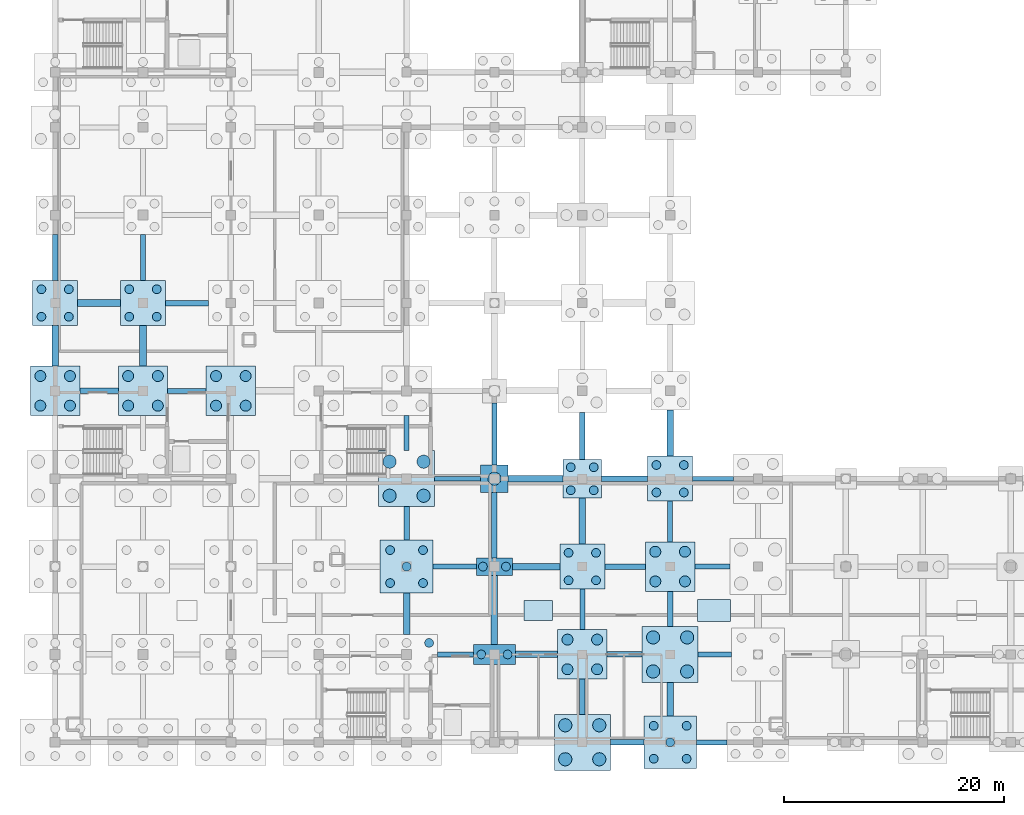
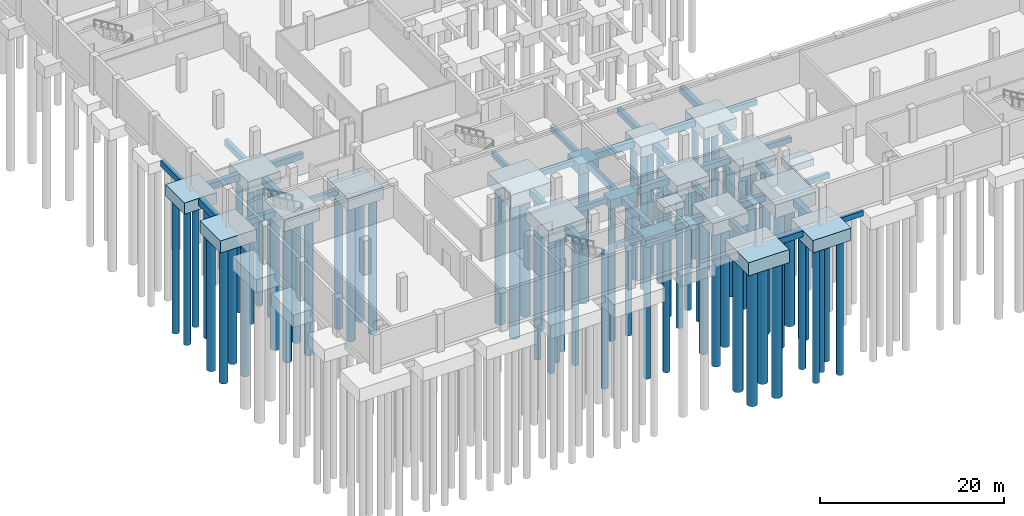
# One storey, part 2 of 26: 68 piles, 56 footings.
"""IFC4 building model written with IfcOpenShell, lengths in metres."""

from ifc_helpers import new_model, si_unit, direction, frame, origin, origin_2d, place, context, subcontext, project, spatial, rectangle, circle, extrude, material, layer, layer_set, material_profile, profile_set, type_object, element, save


model = new_model("IFC4")

# Units and contexts
model_context = context("Model", 3, precision=1e-05, world=origin(), true_north=direction((0.0, 1.0)))
body_context = subcontext(model_context, "Body", "Model", "MODEL_VIEW")
ifc_project = project(units=[si_unit("LENGTHUNIT", "METRE"), si_unit("AREAUNIT", "SQUARE_METRE"), si_unit("VOLUMEUNIT", "CUBIC_METRE"), si_unit("PLANEANGLEUNIT", "RADIAN"), si_unit("MASSUNIT", "GRAM", prefix="KILO")], contexts=[model_context])

# Site, building, storey
site_placement = place(None, origin())
site = spatial("IfcSite", under=ifc_project, at=site_placement, CompositionType="ELEMENT")
building_placement = place(site_placement, origin())
building = spatial("IfcBuilding", under=site, at=building_placement, Name="Qorikala Patio Media Centre", CompositionType="ELEMENT")
storey_placement = place(building_placement, frame((0.0, 0.0, -4.5)))
storey = spatial("IfcBuildingStorey", under=building, at=storey_placement, Name="B1", CompositionType="ELEMENT", Elevation=-4.5)

# Footings
ifc_material = material(Name="Concrete C30/37", Category="concrete")
ifc_material_profile_1 = material_profile(ifc_material, rectangle(XDim=0.449951171875, YDim=0.699951171875, at=origin_2d()), Name="RC 450x700")
ifc_profile_set_1 = profile_set([ifc_material_profile_1], Name="Concrete C30/37")
footing_type_1 = type_object("IfcFootingType", Name="GB-450X700", PredefinedType="FOOTING_BEAM", material=ifc_profile_set_1)
footing_1_placement = place(storey_placement, frame((61.39990234375, 3.0, -0.949951171875), z_axis=(1.0, 0.0, 0.0), x_axis=(0.0, 1.0, 0.0)))
element("IfcFooting", 1, at=footing_1_placement, inside=storey, type_object=footing_type_1, Name="Ground Tie Beam X-008", PredefinedType="FOOTING_BEAM", context=body_context, shape_type="SweptSolid", body=[
    extrude(rectangle(XDim=0.449951171875, YDim=0.699951171875, at=origin_2d()), origin(), (0.0, 0.0, 1.0), 2.800048828125),
])
footing_2_placement = place(storey_placement, frame((37.800048828125, 11.0, -0.949951171875), z_axis=(1.0, 0.0, 0.0), x_axis=(0.0, 1.0, 0.0)))
element("IfcFooting", 2, at=footing_2_placement, inside=storey, type_object=footing_type_1, Name="Ground Tie Beam X-026", PredefinedType="FOOTING_BEAM", context=body_context, shape_type="SweptSolid", body=[
    extrude(rectangle(XDim=0.449951171875, YDim=0.699951171875, at=origin_2d()), origin(), (0.0, 0.0, 1.0), 3.300048828125),
])
footing_3_placement = place(storey_placement, frame((61.550048828125, 11.0, -0.949951171875), z_axis=(1.0, 0.0, 0.0), x_axis=(0.0, 1.0, 0.0)))
element("IfcFooting", 3, at=footing_3_placement, inside=storey, type_object=footing_type_1, Name="Ground Tie Beam X-029", PredefinedType="FOOTING_BEAM", context=body_context, shape_type="SweptSolid", body=[
    extrude(rectangle(XDim=0.449951171875, YDim=0.699951171875, at=origin_2d()), origin(), (0.0, 0.0, 1.0), 3.050048828125),
])
footing_4_placement = place(storey_placement, frame((37.39990234375, 19.0, -0.949951171875), z_axis=(1.0, 0.0, 0.0), x_axis=(0.0, 1.0, 0.0)))
element("IfcFooting", 4, at=footing_4_placement, inside=storey, type_object=footing_type_1, Name="Ground Tie Beam X-047", PredefinedType="FOOTING_BEAM", context=body_context, shape_type="SweptSolid", body=[
    extrude(rectangle(XDim=0.449951171875, YDim=0.699951171875, at=origin_2d()), origin(), (0.0, 0.0, 1.0), 3.9501953125),
])
footing_5_placement = place(storey_placement, frame((61.25, 19.0, -0.949951171875), z_axis=(1.0, 0.0, 0.0), x_axis=(0.0, 1.0, 0.0)))
element("IfcFooting", 5, at=footing_5_placement, inside=storey, type_object=footing_type_1, Name="Ground Tie Beam X-050", PredefinedType="FOOTING_BEAM", context=body_context, shape_type="SweptSolid", body=[
    extrude(rectangle(XDim=0.449951171875, YDim=0.699951171875, at=origin_2d()), origin(), (0.0, 0.0, 1.0), 3.199951171875),
])
footing_6_placement = place(storey_placement, frame((37.550048828125, 27.0, -0.949951171875), z_axis=(1.0, 0.0, 0.0), x_axis=(0.0, 1.0, 0.0)))
element("IfcFooting", 6, at=footing_6_placement, inside=storey, type_object=footing_type_1, Name="Ground Tie Beam X-068", PredefinedType="FOOTING_BEAM", context=body_context, shape_type="SweptSolid", body=[
    extrude(rectangle(XDim=0.449951171875, YDim=0.699951171875, at=origin_2d()), origin(), (0.0, 0.0, 1.0), 4.199951171875),
])
footing_7_placement = place(storey_placement, frame((61.050048828125, 27.0, -0.949951171875), z_axis=(1.0, 0.0, 0.0), x_axis=(0.0, 1.0, 0.0)))
element("IfcFooting", 7, at=footing_7_placement, inside=storey, type_object=footing_type_1, Name="Ground Tie Beam X-071", PredefinedType="FOOTING_BEAM", context=body_context, shape_type="SweptSolid", body=[
    extrude(rectangle(XDim=0.449951171875, YDim=0.699951171875, at=origin_2d()), origin(), (0.0, 0.0, 1.0), 3.699951171875),
])
footing_8_placement = place(storey_placement, frame((13.25, 35.0, -0.949951171875), z_axis=(1.0, 0.0, 0.0), x_axis=(0.0, 1.0, 0.0)))
element("IfcFooting", 8, at=footing_8_placement, inside=storey, type_object=footing_type_1, Name="Ground Tie Beam X-086", PredefinedType="FOOTING_BEAM", context=body_context, shape_type="SweptSolid", body=[
    extrude(rectangle(XDim=0.449951171875, YDim=0.699951171875, at=origin_2d()), origin(), (0.0, 0.0, 1.0), 3.5),
])
footing_9_placement = place(storey_placement, frame((35.0, 29.550048828125, -0.949951171875), z_axis=(0.0, 1.0, 0.0), x_axis=(-1.0, 0.0, 0.0)))
element("IfcFooting", 9, at=footing_9_placement, inside=storey, type_object=footing_type_1, Name="Ground Tie Beam Y-230", PredefinedType="FOOTING_BEAM", context=body_context, shape_type="SweptSolid", body=[
    extrude(rectangle(XDim=0.449951171875, YDim=0.699951171875, at=origin_2d()), origin(), (0.0, 0.0, 1.0), 3.199951171875),
])
footing_10_placement = place(storey_placement, frame((43.0, 28.25, -0.949951171875), z_axis=(0.0, 1.0, 0.0), x_axis=(-1.0, 0.0, 0.0)))
element("IfcFooting", 10, at=footing_10_placement, inside=storey, type_object=footing_type_1, Name="Ground Tie Beam Y-239", PredefinedType="FOOTING_BEAM", context=body_context, shape_type="SweptSolid", body=[
    extrude(rectangle(XDim=0.449951171875, YDim=0.699951171875, at=origin_2d()), origin(), (0.0, 0.0, 1.0), 5.64990234375),
])
for number, where, z_axis, x_axis, name in (
    (11, (51.0, 13.25, -0.949951171875), (0.0, 1.0, 0.0), (-1.0, 0.0, 0.0), "Ground Tie Beam Y-245"),
    (12, (59.0, 21.25, -0.949951171875), (0.0, 1.0, 0.0), (-1.0, 0.0, 0.0), "Ground Tie Beam Y-260"),
):
    element("IfcFooting", number, at=place(storey_placement, frame(where, z_axis=z_axis, x_axis=x_axis)), inside=storey, type_object=footing_type_1, Name=name, PredefinedType="FOOTING_BEAM", context=body_context, shape_type="SweptSolid", body=[
        extrude(rectangle(XDim=0.449951171875, YDim=0.699951171875, at=origin_2d()), origin(), (0.0, 0.0, 1.0), 3.699951171875),
    ])
ifc_material_profile_2 = material_profile(ifc_material, rectangle(XDim=0.5, YDim=0.800048828125, at=origin_2d()), Name="RC 500x800")
ifc_profile_set_2 = profile_set([ifc_material_profile_2], Name="Concrete C30/37")
footing_type_2 = type_object("IfcFootingType", Name="GB-500X800", PredefinedType="FOOTING_BEAM", material=ifc_profile_set_2)
footing_11_placement = place(storey_placement, frame((53.550048828125, 3.0, -1.0), z_axis=(1.0, 0.0, 0.0), x_axis=(0.0, 1.0, 0.0)))
element("IfcFooting", 13, at=footing_11_placement, inside=storey, type_object=footing_type_2, Name="Ground Tie Beam X-007", PredefinedType="FOOTING_BEAM", context=body_context, shape_type="SweptSolid", body=[
    extrude(rectangle(XDim=0.5, YDim=0.800048828125, at=origin_2d()), origin(), (0.0, 0.0, 1.0), 3.050048828125),
])
footing_12_placement = place(storey_placement, frame((53.25, 11.0, -1.0), z_axis=(1.0, 0.0, 0.0), x_axis=(0.0, 1.0, 0.0)))
element("IfcFooting", 14, at=footing_12_placement, inside=storey, type_object=footing_type_2, Name="Ground Tie Beam X-028", PredefinedType="FOOTING_BEAM", context=body_context, shape_type="SweptSolid", body=[
    extrude(rectangle(XDim=0.5, YDim=0.800048828125, at=origin_2d()), origin(), (0.0, 0.0, 1.0), 3.199951171875),
])
footing_13_placement = place(storey_placement, frame((53.050048828125, 19.0, -1.0), z_axis=(1.0, 0.0, 0.0), x_axis=(0.0, 1.0, 0.0)))
element("IfcFooting", 15, at=footing_13_placement, inside=storey, type_object=footing_type_2, Name="Ground Tie Beam X-049", PredefinedType="FOOTING_BEAM", context=body_context, shape_type="SweptSolid", body=[
    extrude(rectangle(XDim=0.5, YDim=0.800048828125, at=origin_2d()), origin(), (0.0, 0.0, 1.0), 3.699951171875),
])
footing_14_placement = place(storey_placement, frame((52.75, 27.0, -1.0), z_axis=(1.0, 0.0, 0.0), x_axis=(0.0, 1.0, 0.0)))
element("IfcFooting", 16, at=footing_14_placement, inside=storey, type_object=footing_type_2, Name="Ground Tie Beam X-070", PredefinedType="FOOTING_BEAM", context=body_context, shape_type="SweptSolid", body=[
    extrude(rectangle(XDim=0.5, YDim=0.800048828125, at=origin_2d()), origin(), (0.0, 0.0, 1.0), 4.199951171875),
])
footing_15_placement = place(storey_placement, frame((5.25, 35.0, -1.0), z_axis=(1.0, 0.0, 0.0), x_axis=(0.0, 1.0, 0.0)))
element("IfcFooting", 17, at=footing_15_placement, inside=storey, type_object=footing_type_2, Name="Ground Tie Beam X-085", PredefinedType="FOOTING_BEAM", context=body_context, shape_type="SweptSolid", body=[
    extrude(rectangle(XDim=0.5, YDim=0.800048828125, at=origin_2d()), origin(), (0.0, 0.0, 1.0), 3.5),
])
footing_16_placement = place(storey_placement, frame((13.050048828125, 43.0, -1.0), z_axis=(1.0, 0.0, 0.0), x_axis=(0.0, 1.0, 0.0)))
element("IfcFooting", 18, at=footing_16_placement, inside=storey, type_object=footing_type_2, Name="Ground Tie Beam X-097", PredefinedType="FOOTING_BEAM", context=body_context, shape_type="SweptSolid", body=[
    extrude(rectangle(XDim=0.5, YDim=0.800048828125, at=origin_2d()), origin(), (0.0, 0.0, 1.0), 3.89990234375),
])
for number, where, z_axis, x_axis, name in (
    (19, (3.0, 45.050048828125, -1.0), (0.0, 1.0, 0.0), (-1.0, 0.0, 0.0), "Ground Tie Beam Y-172"),
    (20, (11.0, 45.050048828125, -1.0), (0.0, 1.0, 0.0), (-1.0, 0.0, 0.0), "Ground Tie Beam Y-187"),
):
    element("IfcFooting", number, at=place(storey_placement, frame(where, z_axis=z_axis, x_axis=x_axis)), inside=storey, type_object=footing_type_2, Name=name, PredefinedType="FOOTING_BEAM", context=body_context, shape_type="SweptSolid", body=[
        extrude(rectangle(XDim=0.5, YDim=0.800048828125, at=origin_2d()), origin(), (0.0, 0.0, 1.0), 4.199951171875),
    ])
footing_17_placement = place(storey_placement, frame((35.0, 21.39990234375, -1.0), z_axis=(0.0, 1.0, 0.0), x_axis=(-1.0, 0.0, 0.0)))
element("IfcFooting", 21, at=footing_17_placement, inside=storey, type_object=footing_type_2, Name="Ground Tie Beam Y-229", PredefinedType="FOOTING_BEAM", context=body_context, shape_type="SweptSolid", body=[
    extrude(rectangle(XDim=0.5, YDim=0.800048828125, at=origin_2d()), origin(), (0.0, 0.0, 1.0), 3.050048828125),
])
footing_18_placement = place(storey_placement, frame((43.0, 19.800048828125, -1.0), z_axis=(0.0, 1.0, 0.0), x_axis=(-1.0, 0.0, 0.0)))
element("IfcFooting", 22, at=footing_18_placement, inside=storey, type_object=footing_type_2, Name="Ground Tie Beam Y-238", PredefinedType="FOOTING_BEAM", context=body_context, shape_type="SweptSolid", body=[
    extrude(rectangle(XDim=0.5, YDim=0.800048828125, at=origin_2d()), origin(), (0.0, 0.0, 1.0), 5.949951171875),
])
footing_19_placement = place(storey_placement, frame((51.0, 5.550048828125, -1.0), z_axis=(0.0, 1.0, 0.0), x_axis=(-1.0, 0.0, 0.0)))
element("IfcFooting", 23, at=footing_19_placement, inside=storey, type_object=footing_type_2, Name="Ground Tie Beam Y-244", PredefinedType="FOOTING_BEAM", context=body_context, shape_type="SweptSolid", body=[
    extrude(rectangle(XDim=0.5, YDim=0.800048828125, at=origin_2d()), origin(), (0.0, 0.0, 1.0), 3.199951171875),
])
footing_20_placement = place(storey_placement, frame((51.0, 28.75, -1.0), z_axis=(0.0, 1.0, 0.0), x_axis=(-1.0, 0.0, 0.0)))
element("IfcFooting", 24, at=footing_20_placement, inside=storey, type_object=footing_type_2, Name="Ground Tie Beam Y-247", PredefinedType="FOOTING_BEAM", context=body_context, shape_type="SweptSolid", body=[
    extrude(rectangle(XDim=0.5, YDim=0.800048828125, at=origin_2d()), origin(), (0.0, 0.0, 1.0), 4.300048828125),
])
footing_21_placement = place(storey_placement, frame((59.0, 13.550048828125, -1.0), z_axis=(0.0, 1.0, 0.0), x_axis=(-1.0, 0.0, 0.0)))
element("IfcFooting", 25, at=footing_21_placement, inside=storey, type_object=footing_type_2, Name="Ground Tie Beam Y-259", PredefinedType="FOOTING_BEAM", context=body_context, shape_type="SweptSolid", body=[
    extrude(rectangle(XDim=0.5, YDim=0.800048828125, at=origin_2d()), origin(), (0.0, 0.0, 1.0), 3.199951171875),
])
ifc_material_profile_3 = material_profile(ifc_material, rectangle(XDim=0.60009765625, YDim=0.89990234375, at=origin_2d()), Name="RC 600x900")
ifc_profile_set_3 = profile_set([ifc_material_profile_3], Name="Concrete C30/37")
footing_type_3 = type_object("IfcFootingType", Name="GB-600X900", PredefinedType="FOOTING_BEAM", material=ifc_profile_set_3)
footing_22_placement = place(storey_placement, frame((44.89990234375, 11.0, -1.050048828125), z_axis=(1.0, 0.0, 0.0), x_axis=(0.0, 1.0, 0.0)))
element("IfcFooting", 26, at=footing_22_placement, inside=storey, type_object=footing_type_3, Name="Ground Tie Beam X-027", PredefinedType="FOOTING_BEAM", context=body_context, shape_type="SweptSolid", body=[
    extrude(rectangle(XDim=0.60009765625, YDim=0.89990234375, at=origin_2d()), origin(), (0.0, 0.0, 1.0), 3.85009765625),
])
footing_23_placement = place(storey_placement, frame((44.64990234375, 19.0, -1.050048828125), z_axis=(1.0, 0.0, 0.0), x_axis=(0.0, 1.0, 0.0)))
element("IfcFooting", 27, at=footing_23_placement, inside=storey, type_object=footing_type_3, Name="Ground Tie Beam X-048", PredefinedType="FOOTING_BEAM", context=body_context, shape_type="SweptSolid", body=[
    extrude(rectangle(XDim=0.60009765625, YDim=0.89990234375, at=origin_2d()), origin(), (0.0, 0.0, 1.0), 4.300048828125),
])
footing_24_placement = place(storey_placement, frame((44.25, 27.0, -1.050048828125), z_axis=(1.0, 0.0, 0.0), x_axis=(0.0, 1.0, 0.0)))
element("IfcFooting", 28, at=footing_24_placement, inside=storey, type_object=footing_type_3, Name="Ground Tie Beam X-069", PredefinedType="FOOTING_BEAM", context=body_context, shape_type="SweptSolid", body=[
    extrude(rectangle(XDim=0.60009765625, YDim=0.89990234375, at=origin_2d()), origin(), (0.0, 0.0, 1.0), 5.0),
])
footing_25_placement = place(storey_placement, frame((5.050048828125, 43.0, -1.050048828125), z_axis=(1.0, 0.0, 0.0), x_axis=(0.0, 1.0, 0.0)))
element("IfcFooting", 29, at=footing_25_placement, inside=storey, type_object=footing_type_3, Name="Ground Tie Beam X-096", PredefinedType="FOOTING_BEAM", context=body_context, shape_type="SweptSolid", body=[
    extrude(rectangle(XDim=0.60009765625, YDim=0.89990234375, at=origin_2d()), origin(), (0.0, 0.0, 1.0), 3.89990234375),
])
for number, where, z_axis, x_axis, name in (
    (30, (3.0, 37.25, -1.050048828125), (0.0, 1.0, 0.0), (-1.0, 0.0, 0.0), "Ground Tie Beam Y-171"),
    (31, (11.0, 37.25, -1.050048828125), (0.0, 1.0, 0.0), (-1.0, 0.0, 0.0), "Ground Tie Beam Y-186"),
):
    element("IfcFooting", number, at=place(storey_placement, frame(where, z_axis=z_axis, x_axis=x_axis)), inside=storey, type_object=footing_type_3, Name=name, PredefinedType="FOOTING_BEAM", context=body_context, shape_type="SweptSolid", body=[
        extrude(rectangle(XDim=0.60009765625, YDim=0.89990234375, at=origin_2d()), origin(), (0.0, 0.0, 1.0), 3.699951171875),
    ])
footing_26_placement = place(storey_placement, frame((35.0, 12.800048828125, -1.050048828125), z_axis=(0.0, 1.0, 0.0), x_axis=(-1.0, 0.0, 0.0)))
element("IfcFooting", 32, at=footing_26_placement, inside=storey, type_object=footing_type_3, Name="Ground Tie Beam Y-228", PredefinedType="FOOTING_BEAM", context=body_context, shape_type="SweptSolid", body=[
    extrude(rectangle(XDim=0.60009765625, YDim=0.89990234375, at=origin_2d()), origin(), (0.0, 0.0, 1.0), 3.800048828125),
])
footing_27_placement = place(storey_placement, frame((43.0, 11.89990234375, -1.050048828125), z_axis=(0.0, 1.0, 0.0), x_axis=(-1.0, 0.0, 0.0)))
element("IfcFooting", 33, at=footing_27_placement, inside=storey, type_object=footing_type_3, Name="Ground Tie Beam Y-237", PredefinedType="FOOTING_BEAM", context=body_context, shape_type="SweptSolid", body=[
    extrude(rectangle(XDim=0.60009765625, YDim=0.89990234375, at=origin_2d()), origin(), (0.0, 0.0, 1.0), 6.300048828125),
])
footing_28_placement = place(storey_placement, frame((51.0, 21.050048828125, -1.050048828125), z_axis=(0.0, 1.0, 0.0), x_axis=(-1.0, 0.0, 0.0)))
element("IfcFooting", 34, at=footing_28_placement, inside=storey, type_object=footing_type_3, Name="Ground Tie Beam Y-246", PredefinedType="FOOTING_BEAM", context=body_context, shape_type="SweptSolid", body=[
    extrude(rectangle(XDim=0.60009765625, YDim=0.89990234375, at=origin_2d()), origin(), (0.0, 0.0, 1.0), 4.199951171875),
])
footing_29_placement = place(storey_placement, frame((59.0, 5.39990234375, -1.050048828125), z_axis=(0.0, 1.0, 0.0), x_axis=(-1.0, 0.0, 0.0)))
element("IfcFooting", 35, at=footing_29_placement, inside=storey, type_object=footing_type_3, Name="Ground Tie Beam Y-258", PredefinedType="FOOTING_BEAM", context=body_context, shape_type="SweptSolid", body=[
    extrude(rectangle(XDim=0.60009765625, YDim=0.89990234375, at=origin_2d()), origin(), (0.0, 0.0, 1.0), 3.050048828125),
])
footing_30_placement = place(storey_placement, frame((59.0, 29.050048828125, -1.050048828125), z_axis=(0.0, 1.0, 0.0), x_axis=(-1.0, 0.0, 0.0)))
element("IfcFooting", 36, at=footing_30_placement, inside=storey, type_object=footing_type_3, Name="Ground Tie Beam Y-261", PredefinedType="FOOTING_BEAM", context=body_context, shape_type="SweptSolid", body=[
    extrude(rectangle(XDim=0.60009765625, YDim=0.89990234375, at=origin_2d()), origin(), (0.0, 0.0, 1.0), 4.199951171875),
])
ifc_layer_1 = layer(ifc_material, 1.35009765625)
ifc_layer_set_1 = layer_set([ifc_layer_1], Name="Concrete C30/37")
footing_type_4 = type_object("IfcFootingType", Name="PC-1C", PredefinedType="PILE_CAP", material=ifc_layer_set_1)
footing_31_placement = place(storey_placement, frame((43.0, 27.0, -1.949951171875), z_axis=(0.0, 0.0, 1.0), x_axis=(1.0, 0.0, 0.0)))
element("IfcFooting", 37, at=footing_31_placement, inside=storey, type_object=footing_type_4, Name="Pile Cap PC-1C at (43.0,27.0)", PredefinedType="PILE_CAP", context=body_context, shape_type="SweptSolid", body=[
    extrude(rectangle(XDim=2.5, YDim=2.5, at=origin_2d()), origin(), (0.0, 0.0, 1.0), 1.35009765625),
])
ifc_layer_2 = layer(ifc_material, 1.25)
ifc_layer_set_2 = layer_set([ifc_layer_2], Name="Concrete C30/37")
footing_type_5 = type_object("IfcFootingType", Name="PC-2A", PredefinedType="PILE_CAP", material=ifc_layer_set_2)
footing_32_placement = place(storey_placement, frame((43.0, 19.0, -1.85009765625), z_axis=(0.0, 0.0, 1.0), x_axis=(1.0, 0.0, 0.0)))
element("IfcFooting", 38, at=footing_32_placement, inside=storey, type_object=footing_type_5, Name="Pile Cap PC-2A at (43.0,19.0)", PredefinedType="PILE_CAP", context=body_context, shape_type="SweptSolid", body=[
    extrude(rectangle(XDim=3.300048828125, YDim=1.60009765625, at=origin_2d()), origin(), (0.0, 0.0, 1.0), 1.25),
])
ifc_layer_3 = layer(ifc_material, 1.35009765625)
ifc_layer_set_3 = layer_set([ifc_layer_3], Name="Concrete C30/37")
footing_type_6 = type_object("IfcFootingType", Name="PC-2B", PredefinedType="PILE_CAP", material=ifc_layer_set_3)
footing_33_placement = place(storey_placement, frame((43.0, 11.0, -1.949951171875), z_axis=(0.0, 0.0, 1.0), x_axis=(1.0, 0.0, 0.0)))
element("IfcFooting", 39, at=footing_33_placement, inside=storey, type_object=footing_type_6, Name="Pile Cap PC-2B at (43.0,11.0)", PredefinedType="PILE_CAP", context=body_context, shape_type="SweptSolid", body=[
    extrude(rectangle(XDim=3.800048828125, YDim=1.800048828125, at=origin_2d()), origin(), (0.0, 0.0, 1.0), 1.35009765625),
])
ifc_layer_4 = layer(ifc_material, 1.39990234375)
ifc_layer_set_4 = layer_set([ifc_layer_4], Name="Concrete C30/37")
footing_type_7 = type_object("IfcFootingType", Name="PC-4A", PredefinedType="PILE_CAP", material=ifc_layer_set_4)
footing_34_placement = place(storey_placement, frame((51.0, 27.0, -2.0), z_axis=(0.0, 0.0, 1.0), x_axis=(1.0, 0.0, 0.0)))
element("IfcFooting", 40, at=footing_34_placement, inside=storey, type_object=footing_type_7, Name="Pile Cap PC-4A at (51.0,27.0)", PredefinedType="PILE_CAP", context=body_context, shape_type="SweptSolid", body=[
    extrude(rectangle(XDim=3.5, YDim=3.5, at=origin_2d()), origin(), (0.0, 0.0, 1.0), 1.39990234375),
])
ifc_layer_5 = layer(ifc_material, 1.5)
ifc_layer_set_5 = layer_set([ifc_layer_5], Name="Concrete C30/37")
footing_type_8 = type_object("IfcFootingType", Name="PC-4B", PredefinedType="PILE_CAP", material=ifc_layer_set_5)
for number, where, z_axis, x_axis, name in (
    (41, (3.0, 43.0, -2.10009765625), (0.0, 0.0, 1.0), (1.0, 0.0, 0.0), "Pile Cap PC-4B at (3.0,43.0)"),
    (42, (11.0, 43.0, -2.10009765625), (0.0, 0.0, 1.0), (1.0, 0.0, 0.0), "Pile Cap PC-4B at (11.0,43.0)"),
    (43, (51.0, 19.0, -2.10009765625), (0.0, 0.0, 1.0), (1.0, 0.0, 0.0), "Pile Cap PC-4B at (51.0,19.0)"),
    (44, (59.0, 27.0, -2.10009765625), (0.0, 0.0, 1.0), (1.0, 0.0, 0.0), "Pile Cap PC-4B at (59.0,27.0)"),
):
    element("IfcFooting", number, at=place(storey_placement, frame(where, z_axis=z_axis, x_axis=x_axis)), inside=storey, type_object=footing_type_8, Name=name, PredefinedType="PILE_CAP", context=body_context, shape_type="SweptSolid", body=[
        extrude(rectangle(XDim=4.10009765625, YDim=4.10009765625, at=origin_2d()), origin(), (0.0, 0.0, 1.0), 1.5),
    ])
ifc_layer_6 = layer(ifc_material, 1.60009765625)
ifc_layer_set_6 = layer_set([ifc_layer_6], Name="Concrete C30/37")
footing_type_9 = type_object("IfcFootingType", Name="PC-4C", PredefinedType="PILE_CAP", material=ifc_layer_set_6)
for number, where, z_axis, x_axis, name in (
    (45, (3.0, 35.0, -2.199951171875), (0.0, 0.0, 1.0), (1.0, 0.0, 0.0), "Pile Cap PC-4C at (3.0,35.0)"),
    (46, (11.0, 35.0, -2.199951171875), (0.0, 0.0, 1.0), (1.0, 0.0, 0.0), "Pile Cap PC-4C at (11.0,35.0)"),
    (47, (19.0, 35.0, -2.199951171875), (0.0, 0.0, 1.0), (1.0, 0.0, 0.0), "Pile Cap PC-4C at (19.0,35.0)"),
    (48, (51.0, 11.0, -2.199951171875), (0.0, 0.0, 1.0), (1.0, 0.0, 0.0), "Pile Cap PC-4C at (51.0,11.0)"),
    (49, (59.0, 19.0, -2.199951171875), (0.0, 0.0, 1.0), (1.0, 0.0, 0.0), "Pile Cap PC-4C at (59.0,19.0)"),
):
    element("IfcFooting", number, at=place(storey_placement, frame(where, z_axis=z_axis, x_axis=x_axis)), inside=storey, type_object=footing_type_9, Name=name, PredefinedType="PILE_CAP", context=body_context, shape_type="SweptSolid", body=[
        extrude(rectangle(XDim=4.5, YDim=4.5, at=origin_2d()), origin(), (0.0, 0.0, 1.0), 1.60009765625),
    ])
ifc_layer_7 = layer(ifc_material, 1.75)
ifc_layer_set_7 = layer_set([ifc_layer_7], Name="Concrete C30/37")
footing_type_10 = type_object("IfcFootingType", Name="PC-4D", PredefinedType="PILE_CAP", material=ifc_layer_set_7)
for number, where, z_axis, x_axis, name in (
    (50, (35.0, 27.0, -2.35009765625), (0.0, 0.0, 1.0), (1.0, 0.0, 0.0), "Pile Cap PC-4D at (35.0,27.0)"),
    (51, (51.0, 3.0, -2.35009765625), (0.0, 0.0, 1.0), (1.0, 0.0, 0.0), "Pile Cap PC-4D at (51.0,3.0)"),
    (52, (59.0, 11.0, -2.35009765625), (0.0, 0.0, 1.0), (1.0, 0.0, 0.0), "Pile Cap PC-4D at (59.0,11.0)"),
):
    element("IfcFooting", number, at=place(storey_placement, frame(where, z_axis=z_axis, x_axis=x_axis)), inside=storey, type_object=footing_type_10, Name=name, PredefinedType="PILE_CAP", context=body_context, shape_type="SweptSolid", body=[
        extrude(rectangle(XDim=5.10009765625, YDim=5.10009765625, at=origin_2d()), origin(), (0.0, 0.0, 1.0), 1.75),
    ])
ifc_layer_8 = layer(ifc_material, 1.64990234375)
ifc_layer_set_8 = layer_set([ifc_layer_8], Name="Concrete C30/37")
footing_type_11 = type_object("IfcFootingType", Name="PC-5A", PredefinedType="PILE_CAP", material=ifc_layer_set_8)
for number, where, z_axis, x_axis, name in (
    (53, (35.0, 19.0, -2.25), (0.0, 0.0, 1.0), (1.0, 0.0, 0.0), "Pile Cap PC-5A at (35.0,19.0)"),
    (54, (59.0, 3.0, -2.25), (0.0, 0.0, 1.0), (1.0, 0.0, 0.0), "Pile Cap PC-5A at (59.0,3.0)"),
):
    element("IfcFooting", number, at=place(storey_placement, frame(where, z_axis=z_axis, x_axis=x_axis)), inside=storey, type_object=footing_type_11, Name=name, PredefinedType="PILE_CAP", context=body_context, shape_type="SweptSolid", body=[
        extrude(rectangle(XDim=4.800048828125, YDim=4.800048828125, at=origin_2d()), origin(), (0.0, 0.0, 1.0), 1.64990234375),
    ])
ifc_layer_9 = layer(ifc_material, 0.85009765625)
ifc_layer_set_9 = layer_set([ifc_layer_9], Name="Concrete C30/37")
footing_type_12 = type_object("IfcFootingType", Name="PF-260", PredefinedType="PAD_FOOTING", material=ifc_layer_set_9)
footing_35_placement = place(storey_placement, frame((47.0, 15.0, -1.449951171875), z_axis=(0.0, 0.0, 1.0), x_axis=(1.0, 0.0, 0.0)))
element("IfcFooting", 55, at=footing_35_placement, inside=storey, type_object=footing_type_12, Name="Courtyard Pad Footing 03", PredefinedType="PAD_FOOTING", context=body_context, shape_type="SweptSolid", body=[
    extrude(rectangle(XDim=2.60009765625, YDim=1.800048828125, at=origin_2d()), origin(), (0.0, 0.0, 1.0), 0.85009765625),
])
ifc_layer_10 = layer(ifc_material, 0.89990234375)
ifc_layer_set_10 = layer_set([ifc_layer_10], Name="Concrete C30/37")
footing_type_13 = type_object("IfcFootingType", Name="PF-300", PredefinedType="PAD_FOOTING", material=ifc_layer_set_10)
footing_36_placement = place(storey_placement, frame((63.0, 15.0, -1.5), z_axis=(0.0, 0.0, 1.0), x_axis=(1.0, 0.0, 0.0)))
element("IfcFooting", 56, at=footing_36_placement, inside=storey, type_object=footing_type_13, Name="Courtyard Pad Footing 04", PredefinedType="PAD_FOOTING", context=body_context, shape_type="SweptSolid", body=[
    extrude(rectangle(XDim=3.0, YDim=2.0, at=origin_2d()), origin(), (0.0, 0.0, 1.0), 0.89990234375),
])

# Piles
ifc_material_profile_4 = material_profile(ifc_material, circle(Radius=0.5, at=origin_2d()), Name="BORED PILE 1000")
ifc_profile_set_4 = profile_set([ifc_material_profile_4], Name="Concrete C30/37")
pile_type_1 = type_object("IfcPileType", Name="PILE-1000", PredefinedType="BORED", material=ifc_profile_set_4)
for number, where, z_axis, x_axis, name in (
    (57, (1.64990234375, 33.64990234375, -2.10009765625), (0.0, 0.0, -1.0), (1.0, 0.0, 0.0), "Bored Pile 0022"),
    (58, (4.35009765625, 33.64990234375, -2.10009765625), (0.0, 0.0, -1.0), (1.0, 0.0, 0.0), "Bored Pile 0023"),
    (59, (1.64990234375, 36.35009765625, -2.10009765625), (0.0, 0.0, -1.0), (1.0, 0.0, 0.0), "Bored Pile 0024"),
    (60, (4.35009765625, 36.35009765625, -2.10009765625), (0.0, 0.0, -1.0), (1.0, 0.0, 0.0), "Bored Pile 0025"),
    (61, (9.64990234375, 33.64990234375, -2.10009765625), (0.0, 0.0, -1.0), (1.0, 0.0, 0.0), "Bored Pile 0072"),
    (62, (12.35009765625, 33.64990234375, -2.10009765625), (0.0, 0.0, -1.0), (1.0, 0.0, 0.0), "Bored Pile 0073"),
    (63, (9.64990234375, 36.35009765625, -2.10009765625), (0.0, 0.0, -1.0), (1.0, 0.0, 0.0), "Bored Pile 0074"),
    (64, (12.35009765625, 36.35009765625, -2.10009765625), (0.0, 0.0, -1.0), (1.0, 0.0, 0.0), "Bored Pile 0075"),
    (65, (17.64990234375, 33.64990234375, -2.10009765625), (0.0, 0.0, -1.0), (1.0, 0.0, 0.0), "Bored Pile 0122"),
    (66, (20.35009765625, 33.64990234375, -2.10009765625), (0.0, 0.0, -1.0), (1.0, 0.0, 0.0), "Bored Pile 0123"),
    (67, (17.64990234375, 36.35009765625, -2.10009765625), (0.0, 0.0, -1.0), (1.0, 0.0, 0.0), "Bored Pile 0124"),
    (68, (20.35009765625, 36.35009765625, -2.10009765625), (0.0, 0.0, -1.0), (1.0, 0.0, 0.0), "Bored Pile 0125"),
    (69, (49.64990234375, 9.64990234375, -2.10009765625), (0.0, 0.0, -1.0), (1.0, 0.0, 0.0), "Bored Pile 0271"),
    (70, (52.35009765625, 9.64990234375, -2.10009765625), (0.0, 0.0, -1.0), (1.0, 0.0, 0.0), "Bored Pile 0272"),
    (71, (49.64990234375, 12.35009765625, -2.10009765625), (0.0, 0.0, -1.0), (1.0, 0.0, 0.0), "Bored Pile 0273"),
    (72, (52.35009765625, 12.35009765625, -2.10009765625), (0.0, 0.0, -1.0), (1.0, 0.0, 0.0), "Bored Pile 0274"),
    (73, (57.64990234375, 17.64990234375, -2.10009765625), (0.0, 0.0, -1.0), (1.0, 0.0, 0.0), "Bored Pile 0321"),
    (74, (60.35009765625, 17.64990234375, -2.10009765625), (0.0, 0.0, -1.0), (1.0, 0.0, 0.0), "Bored Pile 0322"),
    (75, (57.64990234375, 20.35009765625, -2.10009765625), (0.0, 0.0, -1.0), (1.0, 0.0, 0.0), "Bored Pile 0323"),
    (76, (60.35009765625, 20.35009765625, -2.10009765625), (0.0, 0.0, -1.0), (1.0, 0.0, 0.0), "Bored Pile 0324"),
):
    element("IfcPile", number, at=place(storey_placement, frame(where, z_axis=z_axis, x_axis=x_axis)), inside=storey, type_object=pile_type_1, Name=name, PredefinedType="BORED", context=body_context, shape_type="SweptSolid", body=[
        extrude(circle(Radius=0.5, at=origin_2d()), origin(), (0.0, 0.0, 1.0), 18.0),
    ])
ifc_material_profile_5 = material_profile(ifc_material, circle(Radius=0.60009765625, at=origin_2d()), Name="BORED PILE 1200")
ifc_profile_set_5 = profile_set([ifc_material_profile_5], Name="Concrete C30/37")
pile_type_2 = type_object("IfcPileType", Name="PILE-1200", PredefinedType="BORED", material=ifc_profile_set_5)
for number, where, z_axis, x_axis, name in (
    (77, (33.449951171875, 25.449951171875, -2.25), (0.0, 0.0, -1.0), (1.0, 0.0, 0.0), "Bored Pile 0218"),
    (78, (36.550048828125, 25.449951171875, -2.25), (0.0, 0.0, -1.0), (1.0, 0.0, 0.0), "Bored Pile 0219"),
    (79, (33.449951171875, 28.550048828125, -2.25), (0.0, 0.0, -1.0), (1.0, 0.0, 0.0), "Bored Pile 0220"),
    (80, (36.550048828125, 28.550048828125, -2.25), (0.0, 0.0, -1.0), (1.0, 0.0, 0.0), "Bored Pile 0221"),
    (81, (43.0, 27.0, -1.85009765625), (0.0, 0.0, -1.0), (1.0, 0.0, 0.0), "Bored Pile 0248"),
    (82, (49.449951171875, 1.449951171875, -2.25), (0.0, 0.0, -1.0), (1.0, 0.0, 0.0), "Bored Pile 0267"),
    (83, (52.550048828125, 1.449951171875, -2.25), (0.0, 0.0, -1.0), (1.0, 0.0, 0.0), "Bored Pile 0268"),
    (84, (49.449951171875, 4.550048828125, -2.25), (0.0, 0.0, -1.0), (1.0, 0.0, 0.0), "Bored Pile 0269"),
    (85, (52.550048828125, 4.550048828125, -2.25), (0.0, 0.0, -1.0), (1.0, 0.0, 0.0), "Bored Pile 0270"),
    (86, (57.449951171875, 9.449951171875, -2.25), (0.0, 0.0, -1.0), (1.0, 0.0, 0.0), "Bored Pile 0317"),
    (87, (60.550048828125, 9.449951171875, -2.25), (0.0, 0.0, -1.0), (1.0, 0.0, 0.0), "Bored Pile 0318"),
    (88, (57.449951171875, 12.550048828125, -2.25), (0.0, 0.0, -1.0), (1.0, 0.0, 0.0), "Bored Pile 0319"),
    (89, (60.550048828125, 12.550048828125, -2.25), (0.0, 0.0, -1.0), (1.0, 0.0, 0.0), "Bored Pile 0320"),
):
    element("IfcPile", number, at=place(storey_placement, frame(where, z_axis=z_axis, x_axis=x_axis)), inside=storey, type_object=pile_type_2, Name=name, PredefinedType="BORED", context=body_context, shape_type="SweptSolid", body=[
        extrude(circle(Radius=0.60009765625, at=origin_2d()), origin(), (0.0, 0.0, 1.0), 18.0),
    ])
ifc_material_profile_6 = material_profile(ifc_material, circle(Radius=0.39990234375, at=origin_2d()), Name="BORED PILE 800")
ifc_profile_set_6 = profile_set([ifc_material_profile_6], Name="Concrete C30/37")
pile_type_3 = type_object("IfcPileType", Name="PILE-800", PredefinedType="BORED", material=ifc_profile_set_6)
for number, where, z_axis, x_axis, name in (
    (90, (1.75, 41.75, -2.0), (0.0, 0.0, -1.0), (1.0, 0.0, 0.0), "Bored Pile 0026"),
    (91, (4.25, 41.75, -2.0), (0.0, 0.0, -1.0), (1.0, 0.0, 0.0), "Bored Pile 0027"),
    (92, (1.75, 44.25, -2.0), (0.0, 0.0, -1.0), (1.0, 0.0, 0.0), "Bored Pile 0028"),
    (93, (4.25, 44.25, -2.0), (0.0, 0.0, -1.0), (1.0, 0.0, 0.0), "Bored Pile 0029"),
    (94, (9.75, 41.75, -2.0), (0.0, 0.0, -1.0), (1.0, 0.0, 0.0), "Bored Pile 0076"),
    (95, (12.25, 41.75, -2.0), (0.0, 0.0, -1.0), (1.0, 0.0, 0.0), "Bored Pile 0077"),
    (96, (9.75, 44.25, -2.0), (0.0, 0.0, -1.0), (1.0, 0.0, 0.0), "Bored Pile 0078"),
    (97, (12.25, 44.25, -2.0), (0.0, 0.0, -1.0), (1.0, 0.0, 0.0), "Bored Pile 0079"),
    (98, (37.050048828125, 12.050048828125, -2.14990234375), (0.0, 0.0, -1.0), (1.0, 0.0, 0.0), "Bored Pile 0212"),
    (99, (33.5, 17.5, -2.14990234375), (0.0, 0.0, -1.0), (1.0, 0.0, 0.0), "Bored Pile 0213"),
    (100, (36.5, 17.5, -2.14990234375), (0.0, 0.0, -1.0), (1.0, 0.0, 0.0), "Bored Pile 0214"),
    (101, (35.0, 19.0, -2.14990234375), (0.0, 0.0, -1.0), (1.0, 0.0, 0.0), "Bored Pile 0215"),
    (102, (33.5, 20.5, -2.14990234375), (0.0, 0.0, -1.0), (1.0, 0.0, 0.0), "Bored Pile 0216"),
    (103, (36.5, 20.5, -2.14990234375), (0.0, 0.0, -1.0), (1.0, 0.0, 0.0), "Bored Pile 0217"),
    (104, (41.800048828125, 11.0, -1.85009765625), (0.0, 0.0, -1.0), (1.0, 0.0, 0.0), "Bored Pile 0244"),
    (105, (44.199951171875, 11.0, -1.85009765625), (0.0, 0.0, -1.0), (1.0, 0.0, 0.0), "Bored Pile 0245"),
    (106, (41.949951171875, 19.0, -1.75), (0.0, 0.0, -1.0), (1.0, 0.0, 0.0), "Bored Pile 0246"),
    (107, (44.050048828125, 19.0, -1.75), (0.0, 0.0, -1.0), (1.0, 0.0, 0.0), "Bored Pile 0247"),
    (108, (49.75, 17.75, -2.0), (0.0, 0.0, -1.0), (1.0, 0.0, 0.0), "Bored Pile 0275"),
    (109, (52.25, 17.75, -2.0), (0.0, 0.0, -1.0), (1.0, 0.0, 0.0), "Bored Pile 0276"),
    (110, (49.75, 20.25, -2.0), (0.0, 0.0, -1.0), (1.0, 0.0, 0.0), "Bored Pile 0277"),
    (111, (52.25, 20.25, -2.0), (0.0, 0.0, -1.0), (1.0, 0.0, 0.0), "Bored Pile 0278"),
    (112, (49.949951171875, 25.949951171875, -1.89990234375), (0.0, 0.0, -1.0), (1.0, 0.0, 0.0), "Bored Pile 0279"),
    (113, (52.050048828125, 25.949951171875, -1.89990234375), (0.0, 0.0, -1.0), (1.0, 0.0, 0.0), "Bored Pile 0280"),
    (114, (49.949951171875, 28.050048828125, -1.89990234375), (0.0, 0.0, -1.0), (1.0, 0.0, 0.0), "Bored Pile 0281"),
    (115, (52.050048828125, 28.050048828125, -1.89990234375), (0.0, 0.0, -1.0), (1.0, 0.0, 0.0), "Bored Pile 0282"),
    (116, (57.5, 1.5, -2.14990234375), (0.0, 0.0, -1.0), (1.0, 0.0, 0.0), "Bored Pile 0312"),
    (117, (60.5, 1.5, -2.14990234375), (0.0, 0.0, -1.0), (1.0, 0.0, 0.0), "Bored Pile 0313"),
    (118, (59.0, 3.0, -2.14990234375), (0.0, 0.0, -1.0), (1.0, 0.0, 0.0), "Bored Pile 0314"),
    (119, (57.5, 4.5, -2.14990234375), (0.0, 0.0, -1.0), (1.0, 0.0, 0.0), "Bored Pile 0315"),
    (120, (60.5, 4.5, -2.14990234375), (0.0, 0.0, -1.0), (1.0, 0.0, 0.0), "Bored Pile 0316"),
    (121, (57.75, 25.75, -2.0), (0.0, 0.0, -1.0), (1.0, 0.0, 0.0), "Bored Pile 0325"),
    (122, (60.25, 25.75, -2.0), (0.0, 0.0, -1.0), (1.0, 0.0, 0.0), "Bored Pile 0326"),
    (123, (57.75, 28.25, -2.0), (0.0, 0.0, -1.0), (1.0, 0.0, 0.0), "Bored Pile 0327"),
    (124, (60.25, 28.25, -2.0), (0.0, 0.0, -1.0), (1.0, 0.0, 0.0), "Bored Pile 0328"),
):
    element("IfcPile", number, at=place(storey_placement, frame(where, z_axis=z_axis, x_axis=x_axis)), inside=storey, type_object=pile_type_3, Name=name, PredefinedType="BORED", context=body_context, shape_type="SweptSolid", body=[
        extrude(circle(Radius=0.39990234375, at=origin_2d()), origin(), (0.0, 0.0, 1.0), 18.0),
    ])

save(model, "model.ifc")
